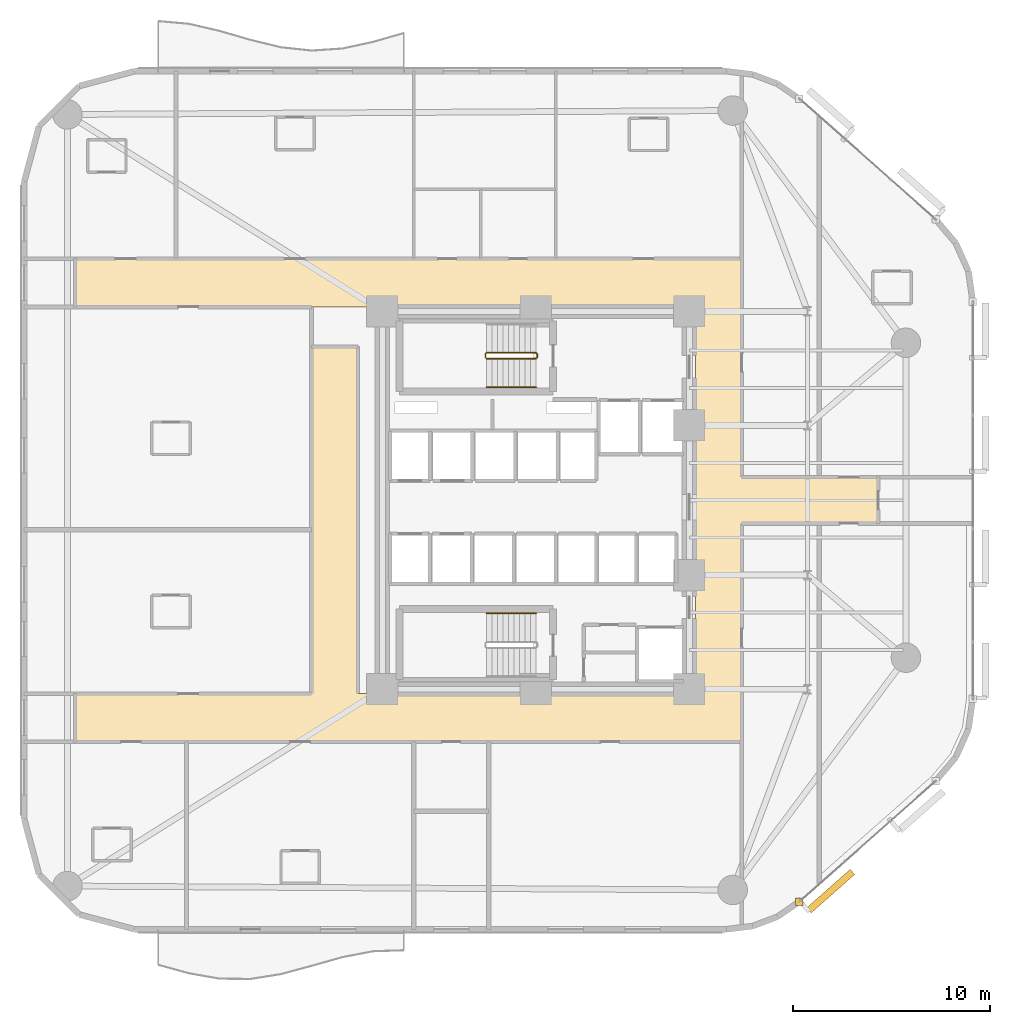
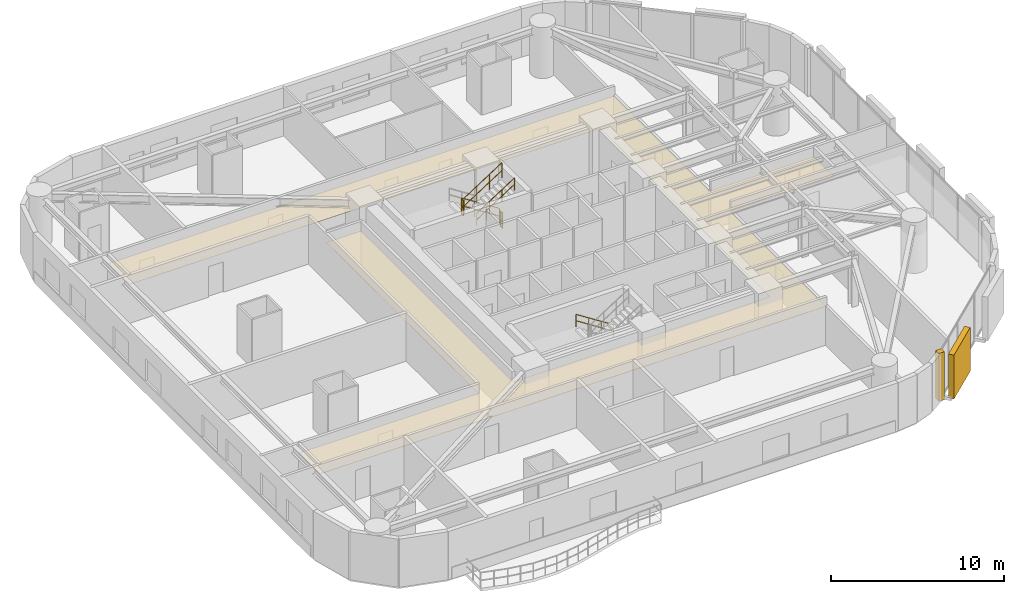
# One storey, part 16 of 17: 6 railings, 2 coverings, 1 shading device.
"""IFC4 building model written with IfcOpenShell, lengths in metres."""

from ifc_helpers import new_model, si_unit, direction, frame, origin, origin_2d, place, context, subcontext, project, spatial, polyline, rectangle, circle, outline, extrude, material, layer, layer_set, type_object, element, save


model = new_model("IFC4")

# Units and contexts
model_context = context("Model", 3, precision=1e-05, world=origin(), true_north=direction((0.0, 1.0)))
body_context = subcontext(model_context, "Body", "Model", "MODEL_VIEW")
ifc_project = project(units=[si_unit("LENGTHUNIT", "METRE"), si_unit("AREAUNIT", "SQUARE_METRE"), si_unit("VOLUMEUNIT", "CUBIC_METRE"), si_unit("PLANEANGLEUNIT", "RADIAN"), si_unit("MASSUNIT", "GRAM", prefix="KILO")], contexts=[model_context])

# Site, building, storey
site_placement = place(None, origin())
site = spatial("IfcSite", under=ifc_project, at=site_placement, CompositionType="ELEMENT")
building_placement = place(site_placement, origin())
building = spatial("IfcBuilding", under=site, at=building_placement, Name="An Khanh Terracotta Commons", CompositionType="ELEMENT")
storey_placement = place(building_placement, frame((0.0, 0.0, 32.39990234375)))
storey = spatial("IfcBuildingStorey", under=building, at=storey_placement, Name="L08", CompositionType="ELEMENT", Elevation=32.39990234375)

# Coverings
ifc_material_1 = material(Name="Perforated Mineral-Fibre Acoustic Tile")
ifc_layer_1 = layer(ifc_material_1, 0.02001953125, Name="Perforated Mineral-Fibre Acoustic Tile")
ifc_layer_set_1 = layer_set([ifc_layer_1], Name="Perforated Mineral-Fibre Acoustic Tile")
covering_type_1 = type_object("IfcCoveringType", Name="CEIL-ACOUSTIC-18", PredefinedType="CEILING", material=ifc_layer_set_1)
covering_1_placement = place(storey_placement, frame((0.0, 0.0, 2.650146484375)))
element("IfcCovering", 1, at=covering_1_placement, inside=storey, type_object=covering_type_1, Name="L08 Corridor Ceiling", PredefinedType="CEILING", context=body_context, shape_type="SweptSolid", body=[
    extrude(outline(polyline([(37.5, 11.719970703125), (6.0, 11.719970703125), (6.0, 14.179931640625), (18.0, 14.179931640625), (18.0, 31.800048828125), (20.35009765625, 31.800048828125), (20.35009765625, 14.179931640625), (37.5, 14.179931640625), (37.5, 33.820068359375), (6.0, 33.820068359375), (6.0, 36.280029296875), (37.5, 36.280029296875), (39.85009765625, 36.280029296875), (39.85009765625, 33.820068359375), (39.85009765625, 25.179931640625), (46.800048828125, 25.179931640625), (46.800048828125, 22.820068359375), (39.85009765625, 22.820068359375), (39.85009765625, 14.179931640625), (39.85009765625, 11.719970703125), (37.5, 11.719970703125)])), origin(), (0.0, 0.0, 1.0), 0.02001953125),
])
ifc_material_2 = material(Name="Fired Terracotta Rainscreen Cladding", Category="masonry")
ifc_layer_2 = layer(ifc_material_2, 0.080078125, Name="Fired Terracotta Rainscreen Cladding")
ifc_layer_set_2 = layer_set([ifc_layer_2], Name="Fired Terracotta Rainscreen Cladding")
covering_type_2 = type_object("IfcCoveringType", Name="COV-JAMB-TERRA", PredefinedType="CLADDING", material=ifc_layer_set_2)
covering_2_placement = place(storey_placement, frame((42.7890625, 3.60595703125, 0.000244140625), z_axis=(0.0, 0.0, 1.0), x_axis=(1.0, 0.0, 0.0)))
element("IfcCovering", 2, at=covering_2_placement, inside=storey, type_object=covering_type_2, Name="L08 CW-02 Curtain-Wall Jamb Closure JA", PredefinedType="CLADDING", context=body_context, shape_type="SweptSolid", body=[
    extrude(rectangle(XDim=0.3798828125, YDim=0.3798828125, at=origin_2d()), origin(), (0.0, 0.0, 1.0), 3.39990234375),
])

# Railings
ifc_material_3 = material(Name="Brushed Stainless Steel 316", Category="steel")
railing_type_1 = type_object("IfcRailingType", Name="RAIL-HANDRAIL-900", PredefinedType="HANDRAIL", material=ifc_material_3)
railing_1_placement = place(storey_placement, frame((26.889892578125, 29.75, 1.97998046875)))
element("IfcRailing", 3, at=railing_1_placement, inside=storey, type_object=railing_type_1, Name="L08 ST-01 stair handrail 2", PredefinedType="HANDRAIL", context=body_context, shape_type="SweptSolid", body=[
    extrude(circle(Radius=0.02392578125, at=origin_2d()), frame((0.0, 0.0, 0.8759765625), z_axis=(0.841162588446, 0.0, 0.540782303519), x_axis=(0.0, 1.0, 0.0)), (0.0, 0.0, 1.0), 2.995849609375),
    extrude(circle(Radius=0.02392578125, at=origin_2d()), frame((0.0, 0.0, 0.42578125), z_axis=(0.841162588446, 0.0, 0.540782303519), x_axis=(0.0, 1.0, 0.0)), (0.0, 0.0, 1.0), 2.995849609375),
    extrude(circle(Radius=0.02099609375, at=origin_2d()), origin(), (0.0, 0.0, 1.0), 0.851806640625),
    extrude(circle(Radius=0.02099609375, at=origin_2d()), frame((0.840087890625, 0.0, 0.5400390625)), (0.0, 0.0, 1.0), 0.851806640625),
    extrude(circle(Radius=0.02099609375, at=origin_2d()), frame((1.679931640625, 0.0, 1.080078125)), (0.0, 0.0, 1.0), 0.851806640625),
    extrude(circle(Radius=0.02099609375, at=origin_2d()), frame((2.52001953125, 0.0, 1.6201171875)), (0.0, 0.0, 1.0), 0.851806640625),
])
railing_2_placement = place(storey_placement, frame((29.409912109375, 18.25, 0.18017578125)))
element("IfcRailing", 4, at=railing_2_placement, inside=storey, type_object=railing_type_1, Name="L08 ST-02 stair handrail 1", PredefinedType="HANDRAIL", context=body_context, shape_type="SweptSolid", body=[
    extrude(circle(Radius=0.02392578125, at=origin_2d()), frame((0.0, 0.0, 0.8759765625), z_axis=(-0.841199657755, 0.0, 0.540724639528), x_axis=(0.0, -1.0, 0.0)), (0.0, 0.0, 1.0), 2.995849609375),
    extrude(circle(Radius=0.02392578125, at=origin_2d()), frame((0.0, 0.0, 0.42578125), z_axis=(-0.841199657755, 0.0, 0.540724639528), x_axis=(0.0, -1.0, 0.0)), (0.0, 0.0, 1.0), 2.995849609375),
    extrude(circle(Radius=0.02099609375, at=origin_2d()), origin(), (0.0, 0.0, 1.0), 0.851806640625),
    extrude(circle(Radius=0.02099609375, at=origin_2d()), frame((-0.840087890625, 0.0, 0.5400390625)), (0.0, 0.0, 1.0), 0.851806640625),
    extrude(circle(Radius=0.02099609375, at=origin_2d()), frame((-1.679931640625, 0.0, 1.079833984375)), (0.0, 0.0, 1.0), 0.851806640625),
    extrude(circle(Radius=0.02099609375, at=origin_2d()), frame((-2.52001953125, 0.0, 1.619873046875)), (0.0, 0.0, 1.0), 0.851806640625),
])
ifc_material_4 = material(Name="Powder-Coated Steel S355J2", Category="steel")
railing_type_2 = type_object("IfcRailingType", Name="RAIL-STAIR-GUARD-1100", PredefinedType="BALUSTRADE", material=ifc_material_4)
railing_3_placement = place(storey_placement, frame((29.409912109375, 31.5, 0.18017578125)))
element("IfcRailing", 5, at=railing_3_placement, inside=storey, type_object=railing_type_2, Name="L08 ST-01 stair guard 1", PredefinedType="BALUSTRADE", context=body_context, shape_type="SweptSolid", body=[
    extrude(circle(Radius=0.02392578125, at=origin_2d()), frame((0.0, 0.0, 1.076171875), z_axis=(-0.841199657755, 0.0, 0.540724639528), x_axis=(0.0, -1.0, 0.0)), (0.0, 0.0, 1.0), 2.995849609375),
    extrude(circle(Radius=0.02392578125, at=origin_2d()), frame((0.0, 0.0, 0.52587890625), z_axis=(-0.841199657755, 0.0, 0.540724639528), x_axis=(0.0, -1.0, 0.0)), (0.0, 0.0, 1.0), 2.995849609375),
    extrude(circle(Radius=0.02099609375, at=origin_2d()), origin(), (0.0, 0.0, 1.0), 1.052001953125),
    extrude(circle(Radius=0.02099609375, at=origin_2d()), frame((-0.840087890625, 0.0, 0.5400390625)), (0.0, 0.0, 1.0), 1.052001953125),
    extrude(circle(Radius=0.02099609375, at=origin_2d()), frame((-1.679931640625, 0.0, 1.079833984375)), (0.0, 0.0, 1.0), 1.052001953125),
    extrude(circle(Radius=0.02099609375, at=origin_2d()), frame((-2.52001953125, 0.0, 1.619873046875)), (0.0, 0.0, 1.0), 1.052001953125),
])
railing_4_placement = place(storey_placement, frame((26.840087890625, 31.449951171875, 1.800048828125)))
element("IfcRailing", 6, at=railing_4_placement, inside=storey, type_object=railing_type_2, Name="L08 ST-01 stair guard 2", PredefinedType="BALUSTRADE", context=body_context, shape_type="SweptSolid", body=[
    extrude(circle(Radius=0.02392578125, at=origin_2d()), frame((0.0, 0.0, 1.076171875), z_axis=(0.0, -1.0, 0.0), x_axis=(1.0, 0.0, 0.0)), (0.0, 0.0, 1.0), 0.199951171875),
    extrude(circle(Radius=0.02392578125, at=origin_2d()), frame((0.0, 0.0, 0.52587890625), z_axis=(0.0, -1.0, 0.0), x_axis=(1.0, 0.0, 0.0)), (0.0, 0.0, 1.0), 0.199951171875),
    extrude(circle(Radius=0.02099609375, at=origin_2d()), origin(), (0.0, 0.0, 1.0), 1.052001953125),
    extrude(circle(Radius=0.02099609375, at=origin_2d()), frame((0.0, -0.199951171875, 0.0)), (0.0, 0.0, 1.0), 1.052001953125),
])
railing_5_placement = place(storey_placement, frame((26.889892578125, 31.199951171875, 1.97998046875)))
element("IfcRailing", 7, at=railing_5_placement, inside=storey, type_object=railing_type_2, Name="L08 ST-01 stair guard 3", PredefinedType="BALUSTRADE", context=body_context, shape_type="SweptSolid", body=[
    extrude(circle(Radius=0.02392578125, at=origin_2d()), frame((0.0, 0.0, 1.076171875), z_axis=(0.841162588446, 0.0, 0.540782303519), x_axis=(0.0, 1.0, 0.0)), (0.0, 0.0, 1.0), 2.995849609375),
    extrude(circle(Radius=0.02392578125, at=origin_2d()), frame((0.0, 0.0, 0.52587890625), z_axis=(0.841162588446, 0.0, 0.540782303519), x_axis=(0.0, 1.0, 0.0)), (0.0, 0.0, 1.0), 2.995849609375),
    extrude(circle(Radius=0.02099609375, at=origin_2d()), origin(), (0.0, 0.0, 1.0), 1.052001953125),
    extrude(circle(Radius=0.02099609375, at=origin_2d()), frame((0.840087890625, 0.0, 0.5400390625)), (0.0, 0.0, 1.0), 1.052001953125),
    extrude(circle(Radius=0.02099609375, at=origin_2d()), frame((1.679931640625, 0.0, 1.080078125)), (0.0, 0.0, 1.0), 1.052001953125),
    extrude(circle(Radius=0.02099609375, at=origin_2d()), frame((2.52001953125, 0.0, 1.6201171875)), (0.0, 0.0, 1.0), 1.052001953125),
])
railing_6_placement = place(storey_placement, frame((29.4599609375, 31.449951171875, 0.0)))
element("IfcRailing", 8, at=railing_6_placement, inside=storey, type_object=railing_type_2, Name="L08 ST-01 stair guard 4", PredefinedType="BALUSTRADE", context=body_context, shape_type="SweptSolid", body=[
    extrude(circle(Radius=0.02392578125, at=origin_2d()), frame((0.0, 0.0, 1.076171875), z_axis=(0.0, -1.0, 0.0), x_axis=(1.0, 0.0, 0.0)), (0.0, 0.0, 1.0), 0.199951171875),
    extrude(circle(Radius=0.02392578125, at=origin_2d()), frame((0.0, 0.0, 0.52587890625), z_axis=(0.0, -1.0, 0.0), x_axis=(1.0, 0.0, 0.0)), (0.0, 0.0, 1.0), 0.199951171875),
    extrude(circle(Radius=0.02099609375, at=origin_2d()), origin(), (0.0, 0.0, 1.0), 1.052001953125),
    extrude(circle(Radius=0.02099609375, at=origin_2d()), frame((0.0, -0.199951171875, 0.0)), (0.0, 0.0, 1.0), 1.052001953125),
])

# Shading device
ifc_material_5 = material(Name="Extruded Fired Terracotta", Category="masonry")
shading_device_type = type_object("IfcShadingDeviceType", Name="Terracotta Baguette Screen Assembly", PredefinedType="USERDEFINED", material=ifc_material_5)
shading_device_placement = place(storey_placement, frame((44.373046875, 4.138916015625, 0.150146484375), z_axis=(0.0, 0.0, 1.0), x_axis=(0.749019284633, 0.662548195415, 0.0)))
element("IfcShadingDevice", 9, at=shading_device_placement, inside=storey, type_object=shading_device_type, Name="L08 Terracotta Baguette Screen 1", ObjectType="BAGUETTE", PredefinedType="USERDEFINED", context=body_context, shape_type="SweptSolid", body=[
    extrude(rectangle(XDim=2.9599609375, YDim=0.35009765625, at=origin_2d()), origin(), (0.0, 0.0, 1.0), 3.10009765625),
])

save(model, "model.ifc")
